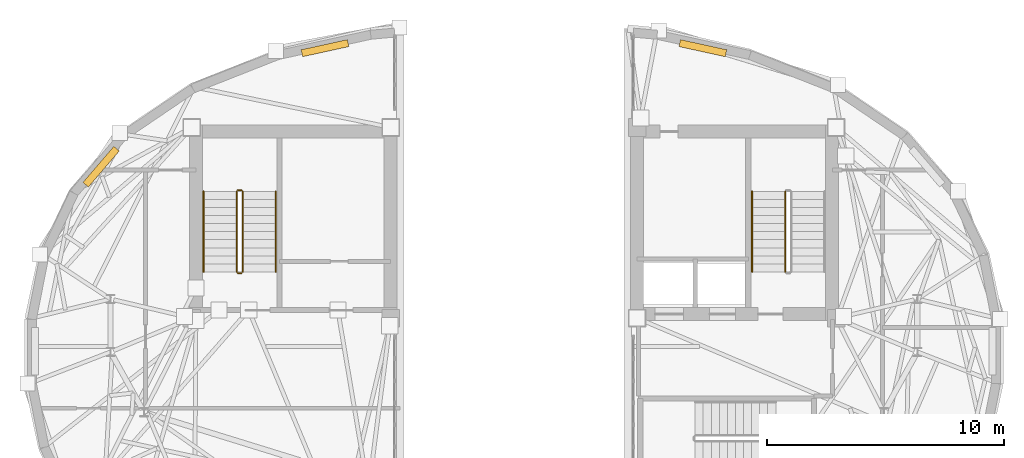
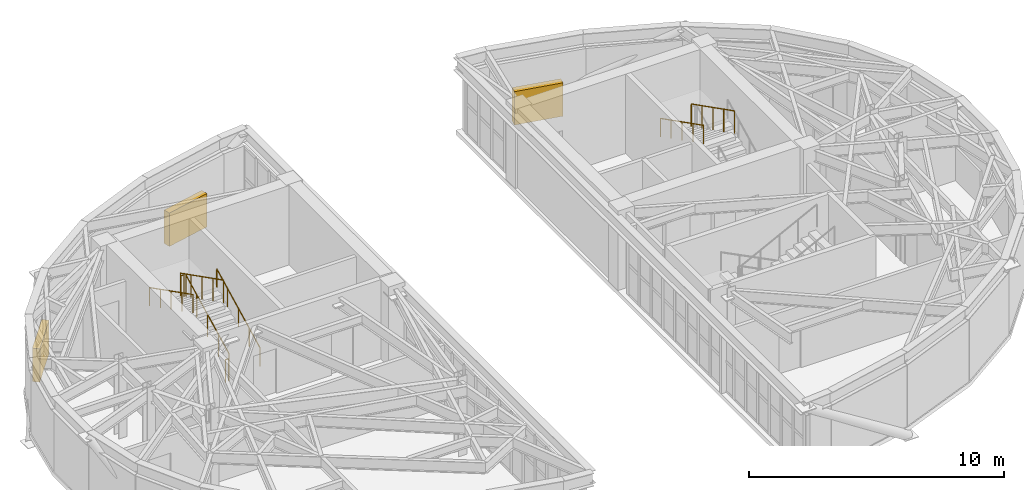
# One storey, part 12 of 13: 8 railings, 3 shading devices.
"""IFC4 building model written with IfcOpenShell, lengths in metres."""

from ifc_helpers import new_model, si_unit, direction, frame, origin, origin_2d, place, context, subcontext, project, spatial, rectangle, circle, extrude, material, type_object, element, save


model = new_model("IFC4")

# Units and contexts
model_context = context("Model", 3, precision=1e-05, world=origin(), true_north=direction((0.0, 1.0)))
body_context = subcontext(model_context, "Body", "Model", "MODEL_VIEW")
ifc_project = project(units=[si_unit("LENGTHUNIT", "METRE"), si_unit("AREAUNIT", "SQUARE_METRE"), si_unit("VOLUMEUNIT", "CUBIC_METRE"), si_unit("PLANEANGLEUNIT", "RADIAN"), si_unit("MASSUNIT", "GRAM", prefix="KILO")], contexts=[model_context])

# Site, building, storey
site_placement = place(None, origin())
site = spatial("IfcSite", under=ifc_project, at=site_placement, CompositionType="ELEMENT")
building_placement = place(site_placement, origin())
building = spatial("IfcBuilding", under=site, at=building_placement, Name="Keldmark Tower", CompositionType="ELEMENT")
storey_placement = place(building_placement, frame((0.0, 0.0, 273.0)))
storey = spatial("IfcBuildingStorey", under=building, at=storey_placement, Name="L77", CompositionType="ELEMENT", Elevation=273.0)

# Shading devices
ifc_material_1 = material(Name="Fluoropolymer-Coated Extruded Aluminum Stormproof Blades", Category="aluminium")
shading_device_type = type_object("IfcShadingDeviceType", Name="Mechanical Floor Acoustic Intake Louvre", PredefinedType="JALOUSIE", material=ifc_material_1)
for number, where, z_axis, x_axis, name in (
    (1, (7.97412109375, 12.7958984375, 0.0), (0.0, 0.0, 1.0), (-0.976889152515, 0.213746540788, 0.0), "L77 Crown Screen Acoustic Louvre E01"),
    (2, (-17.42578125, 7.79248046875, 0.0), (0.0, 0.0, 1.0), (-0.650800720438, -0.759248590567, 0.0), "L77 Crown Screen Acoustic Louvre W10"),
    (3, (-7.97412109375, 12.7958984375, 0.0), (0.0, 0.0, 1.0), (-0.976889152515, -0.213746540788, 0.0), "L77 Crown Screen Acoustic Louvre W13"),
):
    element("IfcShadingDevice", number, at=place(storey_placement, frame(where, z_axis=z_axis, x_axis=x_axis)), inside=storey, type_object=shading_device_type, Name=name, PredefinedType="JALOUSIE", context=body_context, shape_type="SweptSolid", body=[
        extrude(rectangle(XDim=2.0, YDim=0.300048828125, at=origin_2d()), origin(), (0.0, 0.0, 1.0), 1.60009765625),
    ])

# Railings
ifc_material_2 = material(Name="Painted Steel ASTM A500 Grade B", Category="steel")
railing_type_1 = type_object("IfcRailingType", Name="Painted Steel Stair Well Guard 1100 mm", PredefinedType="GUARDRAIL", material=ifc_material_2)
railing_1_placement = place(storey_placement, frame((-11.449951171875, 3.35009765625, 0.172607421875)))
element("IfcRailing", 4, at=railing_1_placement, inside=storey, type_object=railing_type_1, Name="L77 ST1 stair guard 1", PredefinedType="GUARDRAIL", context=body_context, shape_type="SweptSolid", body=[
    extrude(circle(Radius=0.02392578125, at=origin_2d()), frame((0.0, 0.0, 1.076171875), z_axis=(0.0, 0.89154070688, 0.452940578858), x_axis=(-1.0, 0.0, 0.0)), (0.0, 0.0, 1.0), 3.8134765625),
    extrude(circle(Radius=0.02099609375, at=origin_2d()), origin(), (0.0, 0.0, 1.0), 1.052001953125),
    extrude(circle(Radius=0.02099609375, at=origin_2d()), frame((0.0, 0.85009765625, 0.431884765625)), (0.0, 0.0, 1.0), 1.052001953125),
    extrude(circle(Radius=0.02099609375, at=origin_2d()), frame((0.0, 1.699951171875, 0.86376953125)), (0.0, 0.0, 1.0), 1.052001953125),
    extrude(circle(Radius=0.02099609375, at=origin_2d()), frame((0.0, 2.5498046875, 1.29541015625)), (0.0, 0.0, 1.0), 1.052001953125),
    extrude(circle(Radius=0.02099609375, at=origin_2d()), frame((0.0, 3.39990234375, 1.727294921875)), (0.0, 0.0, 1.0), 1.052001953125),
])
railing_2_placement = place(storey_placement, frame((-11.5, 6.800048828125, 1.89990234375)))
element("IfcRailing", 5, at=railing_2_placement, inside=storey, type_object=railing_type_1, Name="L77 ST1 stair guard 2", PredefinedType="GUARDRAIL", context=body_context, shape_type="SweptSolid", body=[
    extrude(circle(Radius=0.02392578125, at=origin_2d()), frame((0.0, 0.0, 1.076171875), z_axis=(-1.0, 0.0, 0.0), x_axis=(0.0, -1.0, 0.0)), (0.0, 0.0, 1.0), 0.14990234375),
    extrude(circle(Radius=0.02099609375, at=origin_2d()), origin(), (0.0, 0.0, 1.0), 1.052001953125),
    extrude(circle(Radius=0.02099609375, at=origin_2d()), frame((-0.14990234375, 0.0, 0.0)), (0.0, 0.0, 1.0), 1.052001953125),
])
railing_3_placement = place(storey_placement, frame((-11.699951171875, 6.75, 2.07275390625)))
element("IfcRailing", 6, at=railing_3_placement, inside=storey, type_object=railing_type_1, Name="L77 ST1 stair guard 3", PredefinedType="GUARDRAIL", context=body_context, shape_type="SweptSolid", body=[
    extrude(circle(Radius=0.02392578125, at=origin_2d()), frame((0.0, 0.0, 1.076171875), z_axis=(0.0, -0.89154070688, 0.452940578858), x_axis=(1.0, 0.0, 0.0)), (0.0, 0.0, 1.0), 3.8134765625),
    extrude(circle(Radius=0.02099609375, at=origin_2d()), origin(), (0.0, 0.0, 1.0), 1.052001953125),
    extrude(circle(Radius=0.02099609375, at=origin_2d()), frame((0.0, -0.85009765625, 0.431884765625)), (0.0, 0.0, 1.0), 1.052001953125),
    extrude(circle(Radius=0.02099609375, at=origin_2d()), frame((0.0, -1.699951171875, 0.86376953125)), (0.0, 0.0, 1.0), 1.052001953125),
    extrude(circle(Radius=0.02099609375, at=origin_2d()), frame((0.0, -2.5498046875, 1.29541015625)), (0.0, 0.0, 1.0), 1.052001953125),
    extrude(circle(Radius=0.02099609375, at=origin_2d()), frame((0.0, -3.39990234375, 1.727294921875)), (0.0, 0.0, 1.0), 1.052001953125),
])
railing_4_placement = place(storey_placement, frame((-11.5, 3.300048828125, 0.0)))
element("IfcRailing", 7, at=railing_4_placement, inside=storey, type_object=railing_type_1, Name="L77 ST1 stair guard 4", PredefinedType="GUARDRAIL", context=body_context, shape_type="SweptSolid", body=[
    extrude(circle(Radius=0.02392578125, at=origin_2d()), frame((0.0, 0.0, 1.076171875), z_axis=(-1.0, 0.0, 0.0), x_axis=(0.0, -1.0, 0.0)), (0.0, 0.0, 1.0), 0.14990234375),
    extrude(circle(Radius=0.02099609375, at=origin_2d()), origin(), (0.0, 0.0, 1.0), 1.052001953125),
    extrude(circle(Radius=0.02099609375, at=origin_2d()), frame((-0.14990234375, 0.0, 0.0)), (0.0, 0.0, 1.0), 1.052001953125),
])
railing_5_placement = place(storey_placement, frame((11.449951171875, 6.75, 2.07275390625)))
element("IfcRailing", 8, at=railing_5_placement, inside=storey, type_object=railing_type_1, Name="L77 ST2 stair guard 3", PredefinedType="GUARDRAIL", context=body_context, shape_type="SweptSolid", body=[
    extrude(circle(Radius=0.02392578125, at=origin_2d()), frame((0.0, 0.0, 1.076171875), z_axis=(0.0, -0.89154070688, 0.452940578858), x_axis=(1.0, 0.0, 0.0)), (0.0, 0.0, 1.0), 3.8134765625),
    extrude(circle(Radius=0.02099609375, at=origin_2d()), origin(), (0.0, 0.0, 1.0), 1.052001953125),
    extrude(circle(Radius=0.02099609375, at=origin_2d()), frame((0.0, -0.85009765625, 0.431884765625)), (0.0, 0.0, 1.0), 1.052001953125),
    extrude(circle(Radius=0.02099609375, at=origin_2d()), frame((0.0, -1.699951171875, 0.86376953125)), (0.0, 0.0, 1.0), 1.052001953125),
    extrude(circle(Radius=0.02099609375, at=origin_2d()), frame((0.0, -2.5498046875, 1.29541015625)), (0.0, 0.0, 1.0), 1.052001953125),
    extrude(circle(Radius=0.02099609375, at=origin_2d()), frame((0.0, -3.39990234375, 1.727294921875)), (0.0, 0.0, 1.0), 1.052001953125),
])
ifc_material_3 = material(Name="Stainless Steel AISI 316L", Category="steel")
railing_type_2 = type_object("IfcRailingType", Name="Stainless Steel Stair Handrail 900 mm", PredefinedType="HANDRAIL", material=ifc_material_3)
railing_6_placement = place(storey_placement, frame((-10.050048828125, 3.35009765625, 0.172607421875)))
element("IfcRailing", 9, at=railing_6_placement, inside=storey, type_object=railing_type_2, Name="L77 ST1 stair handrail 1", PredefinedType="HANDRAIL", context=body_context, shape_type="SweptSolid", body=[
    extrude(circle(Radius=0.02392578125, at=origin_2d()), frame((0.0, 0.0, 0.8759765625), z_axis=(0.0, 0.89154070688, 0.452940578858), x_axis=(-1.0, 0.0, 0.0)), (0.0, 0.0, 1.0), 3.8134765625),
    extrude(circle(Radius=0.02099609375, at=origin_2d()), origin(), (0.0, 0.0, 1.0), 0.851806640625),
    extrude(circle(Radius=0.02099609375, at=origin_2d()), frame((0.0, 0.85009765625, 0.431884765625)), (0.0, 0.0, 1.0), 0.851806640625),
    extrude(circle(Radius=0.02099609375, at=origin_2d()), frame((0.0, 1.699951171875, 0.86376953125)), (0.0, 0.0, 1.0), 0.851806640625),
    extrude(circle(Radius=0.02099609375, at=origin_2d()), frame((0.0, 2.5498046875, 1.29541015625)), (0.0, 0.0, 1.0), 0.851806640625),
    extrude(circle(Radius=0.02099609375, at=origin_2d()), frame((0.0, 3.39990234375, 1.727294921875)), (0.0, 0.0, 1.0), 0.851806640625),
])
for number, where, name in (
    (10, (-13.10009765625, 6.75, 2.07275390625), "L77 ST1 stair handrail 2"),
    (11, (10.050048828125, 6.75, 2.07275390625), "L77 ST2 stair handrail 2"),
):
    element("IfcRailing", number, at=place(storey_placement, frame(where)), inside=storey, type_object=railing_type_2, Name=name, PredefinedType="HANDRAIL", context=body_context, shape_type="SweptSolid", body=[
        extrude(circle(Radius=0.02392578125, at=origin_2d()), frame((0.0, 0.0, 0.8759765625), z_axis=(0.0, -0.89154070688, 0.452940578858), x_axis=(1.0, 0.0, 0.0)), (0.0, 0.0, 1.0), 3.8134765625),
        extrude(circle(Radius=0.02099609375, at=origin_2d()), origin(), (0.0, 0.0, 1.0), 0.851806640625),
        extrude(circle(Radius=0.02099609375, at=origin_2d()), frame((0.0, -0.85009765625, 0.431884765625)), (0.0, 0.0, 1.0), 0.851806640625),
        extrude(circle(Radius=0.02099609375, at=origin_2d()), frame((0.0, -1.699951171875, 0.86376953125)), (0.0, 0.0, 1.0), 0.851806640625),
        extrude(circle(Radius=0.02099609375, at=origin_2d()), frame((0.0, -2.5498046875, 1.29541015625)), (0.0, 0.0, 1.0), 0.851806640625),
        extrude(circle(Radius=0.02099609375, at=origin_2d()), frame((0.0, -3.39990234375, 1.727294921875)), (0.0, 0.0, 1.0), 0.851806640625),
    ])

save(model, "model.ifc")
